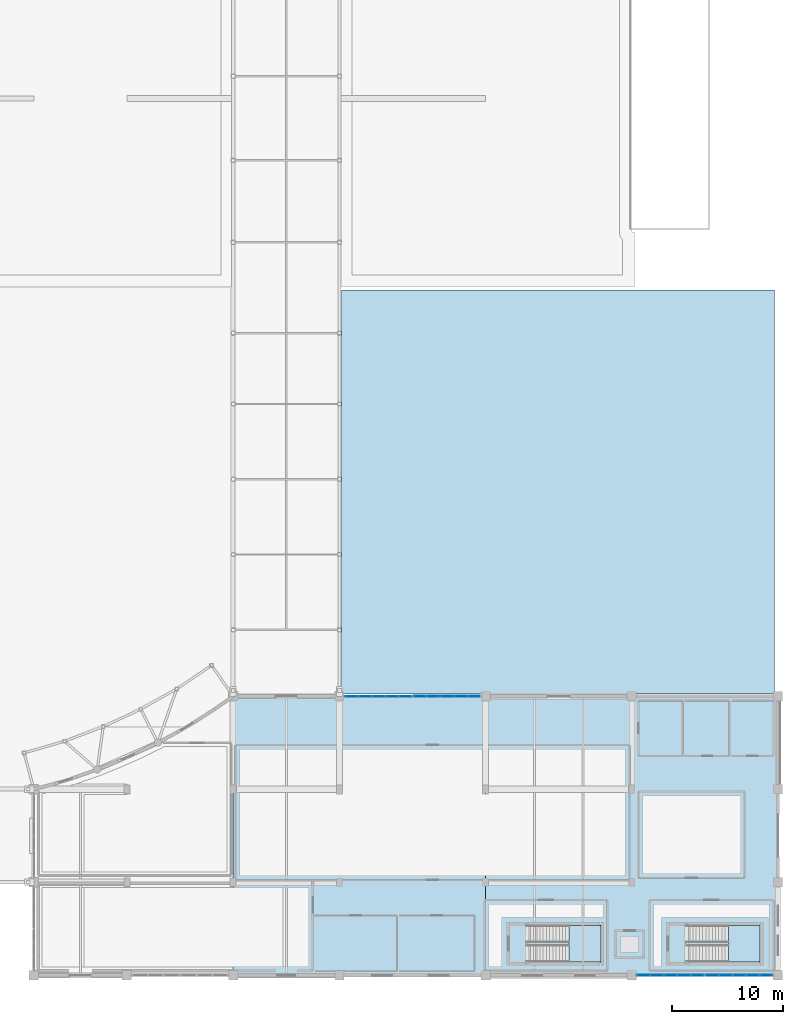
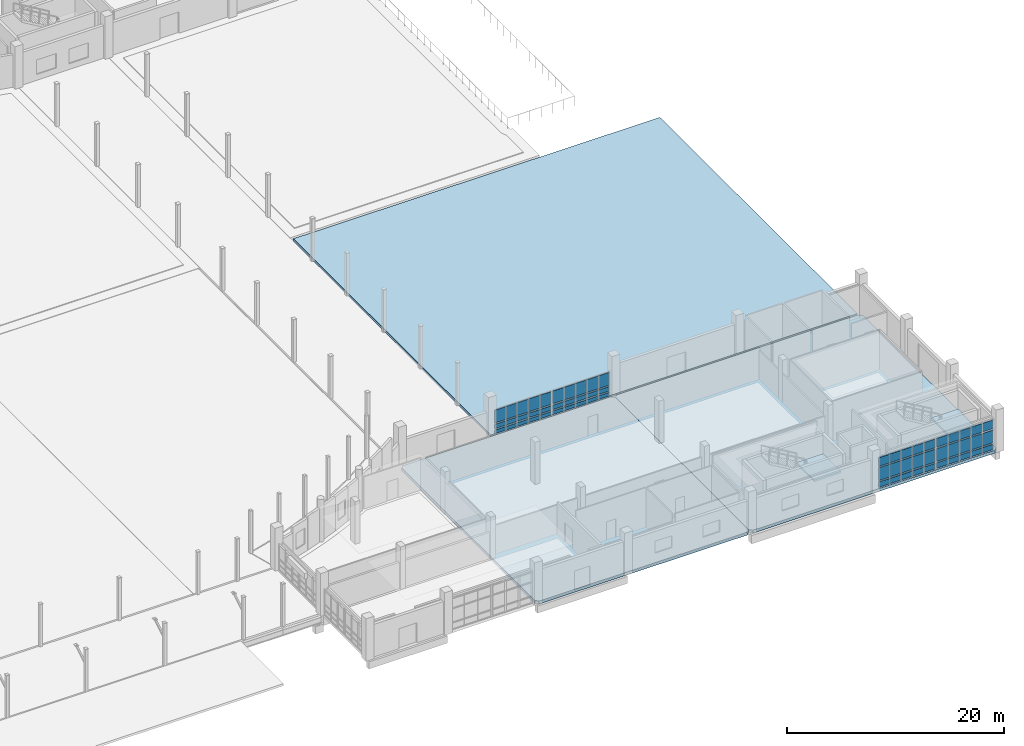
# One storey, part 53 of 97: 60 plates, 5 slabs, 6 elements without a shape of their own.
"""IFC4 building model written with IfcOpenShell, lengths in metres."""

from ifc_helpers import new_model, si_unit, direction, frame, origin, origin_2d, place, context, subcontext, project, spatial, polyline, rectangle, outline, extrude, material, layer, layer_set, type_object, element, aggregate, save


model = new_model("IFC4")

# Units and contexts
model_context = context("Model", 3, precision=1e-05, world=origin(), true_north=direction((0.0, 1.0)))
body_context = subcontext(model_context, "Body", "Model", "MODEL_VIEW")
ifc_project = project(units=[si_unit("LENGTHUNIT", "METRE"), si_unit("AREAUNIT", "SQUARE_METRE"), si_unit("VOLUMEUNIT", "CUBIC_METRE"), si_unit("PLANEANGLEUNIT", "RADIAN"), si_unit("MASSUNIT", "GRAM", prefix="KILO")], contexts=[model_context])

# Site, building, storey
site_placement = place(None, origin())
site = spatial("IfcSite", under=ifc_project, at=site_placement, CompositionType="ELEMENT")
building_placement = place(site_placement, origin())
building = spatial("IfcBuilding", under=site, at=building_placement, Name="Kisaragi Civic Commons", CompositionType="ELEMENT")
storey_placement = place(building_placement, origin())
storey = spatial("IfcBuildingStorey", under=building, at=storey_placement, Name="L00", CompositionType="ELEMENT", Elevation=0.0)

# Curtain wall, plates
ifc_material_1 = material(Name="Thermally broken anodized aluminium and low-E double glazing", Category="aluminium")
ifc_layer_1 = layer(ifc_material_1, 0.2099609375, Name="Thermally broken anodized aluminium and low-E double glazing", Category="aluminium")
ifc_layer_set_1 = layer_set([ifc_layer_1], Name="Thermally broken anodized aluminium and low-E double glazing")
curtain_wall_type = type_object("IfcCurtainWallType", Name="CW-02", PredefinedType="NOTDEFINED", material=ifc_layer_set_1)
curtain_wall_1_placement = place(storey_placement, origin())
curtain_wall_1 = element("IfcCurtainWall", 1, at=curtain_wall_1_placement, inside=storey, type_object=curtain_wall_type, Name="L00 curtain wall CW-02 CW-V3-L00-009", PredefinedType="NOTDEFINED")
ifc_layer_2 = layer(ifc_material_1, 0.0458984375, Name="Thermally broken anodized aluminium and low-E double glazing", Category="aluminium")
ifc_layer_set_2 = layer_set([ifc_layer_2], Name="Thermally broken anodized aluminium and low-E double glazing")
plate_type_1 = type_object("IfcPlateType", Name="CWP-13", PredefinedType="CURTAIN_PANEL", material=ifc_layer_set_2)
plate_1_placement = place(storey_placement, frame((134.26953125, 25.199951171875, 0.16015625), z_axis=(0.0, 0.0, 1.0), x_axis=(1.0, 0.0, 0.0)))
plate_1 = element("IfcPlate", 2, at=plate_1_placement, type_object=plate_type_1, Name="CW-02 panel 1.1", PredefinedType="CURTAIN_PANEL", context=body_context, shape_type="SweptSolid", body=[
    extrude(rectangle(XDim=1.118896484375, YDim=0.0458984375, at=origin_2d()), origin(), (0.0, 0.0, 1.0), 0.409912109375),
])
plate_2_placement = place(storey_placement, frame((134.26953125, 25.199951171875, 0.72998046875), z_axis=(0.0, 0.0, 1.0), x_axis=(1.0, 0.0, 0.0)))
plate_2 = element("IfcPlate", 3, at=plate_2_placement, type_object=plate_type_1, Name="CW-02 panel 1.2", PredefinedType="CURTAIN_PANEL", context=body_context, shape_type="SweptSolid", body=[
    extrude(rectangle(XDim=1.118896484375, YDim=0.0458984375, at=origin_2d()), origin(), (0.0, 0.0, 1.0), 0.489990234375),
])
plate_3_placement = place(storey_placement, frame((134.26953125, 25.199951171875, 1.380126953125), z_axis=(0.0, 0.0, 1.0), x_axis=(1.0, 0.0, 0.0)))
plate_3 = element("IfcPlate", 4, at=plate_3_placement, type_object=plate_type_1, Name="CW-02 panel 1.3", PredefinedType="CURTAIN_PANEL", context=body_context, shape_type="SweptSolid", body=[
    extrude(rectangle(XDim=1.118896484375, YDim=0.0458984375, at=origin_2d()), origin(), (0.0, 0.0, 1.0), 1.43994140625),
])
plate_4_placement = place(storey_placement, frame((135.47607421875, 25.199951171875, 0.16015625), z_axis=(0.0, 0.0, 1.0), x_axis=(1.0, 0.0, 0.0)))
plate_4 = element("IfcPlate", 5, at=plate_4_placement, type_object=plate_type_1, Name="CW-02 panel 2.1", PredefinedType="CURTAIN_PANEL", context=body_context, shape_type="SweptSolid", body=[
    extrude(rectangle(XDim=1.154052734375, YDim=0.0458984375, at=origin_2d()), origin(), (0.0, 0.0, 1.0), 0.409912109375),
])
plate_5_placement = place(storey_placement, frame((135.47607421875, 25.199951171875, 0.72998046875), z_axis=(0.0, 0.0, 1.0), x_axis=(1.0, 0.0, 0.0)))
plate_5 = element("IfcPlate", 6, at=plate_5_placement, type_object=plate_type_1, Name="CW-02 panel 2.2", PredefinedType="CURTAIN_PANEL", context=body_context, shape_type="SweptSolid", body=[
    extrude(rectangle(XDim=1.154052734375, YDim=0.0458984375, at=origin_2d()), origin(), (0.0, 0.0, 1.0), 0.489990234375),
])
plate_6_placement = place(storey_placement, frame((135.47607421875, 25.199951171875, 1.380126953125), z_axis=(0.0, 0.0, 1.0), x_axis=(1.0, 0.0, 0.0)))
plate_6 = element("IfcPlate", 7, at=plate_6_placement, type_object=plate_type_1, Name="CW-02 panel 2.3", PredefinedType="CURTAIN_PANEL", context=body_context, shape_type="SweptSolid", body=[
    extrude(rectangle(XDim=1.154052734375, YDim=0.0458984375, at=origin_2d()), origin(), (0.0, 0.0, 1.0), 1.43994140625),
])
plate_7_placement = place(storey_placement, frame((136.699951171875, 25.199951171875, 0.16015625), z_axis=(0.0, 0.0, 1.0), x_axis=(1.0, 0.0, 0.0)))
plate_7 = element("IfcPlate", 8, at=plate_7_placement, type_object=plate_type_1, Name="CW-02 panel 3.1", PredefinedType="CURTAIN_PANEL", context=body_context, shape_type="SweptSolid", body=[
    extrude(rectangle(XDim=1.154052734375, YDim=0.0458984375, at=origin_2d()), origin(), (0.0, 0.0, 1.0), 0.409912109375),
])
plate_8_placement = place(storey_placement, frame((136.699951171875, 25.199951171875, 0.72998046875), z_axis=(0.0, 0.0, 1.0), x_axis=(1.0, 0.0, 0.0)))
plate_8 = element("IfcPlate", 9, at=plate_8_placement, type_object=plate_type_1, Name="CW-02 panel 3.2", PredefinedType="CURTAIN_PANEL", context=body_context, shape_type="SweptSolid", body=[
    extrude(rectangle(XDim=1.154052734375, YDim=0.0458984375, at=origin_2d()), origin(), (0.0, 0.0, 1.0), 0.489990234375),
])
plate_9_placement = place(storey_placement, frame((136.699951171875, 25.199951171875, 1.380126953125), z_axis=(0.0, 0.0, 1.0), x_axis=(1.0, 0.0, 0.0)))
plate_9 = element("IfcPlate", 10, at=plate_9_placement, type_object=plate_type_1, Name="CW-02 panel 3.3", PredefinedType="CURTAIN_PANEL", context=body_context, shape_type="SweptSolid", body=[
    extrude(rectangle(XDim=1.154052734375, YDim=0.0458984375, at=origin_2d()), origin(), (0.0, 0.0, 1.0), 1.43994140625),
])
plate_10_placement = place(storey_placement, frame((137.924072265625, 25.199951171875, 0.16015625), z_axis=(0.0, 0.0, 1.0), x_axis=(1.0, 0.0, 0.0)))
plate_10 = element("IfcPlate", 11, at=plate_10_placement, type_object=plate_type_1, Name="CW-02 panel 4.1", PredefinedType="CURTAIN_PANEL", context=body_context, shape_type="SweptSolid", body=[
    extrude(rectangle(XDim=1.154052734375, YDim=0.0458984375, at=origin_2d()), origin(), (0.0, 0.0, 1.0), 0.409912109375),
])
plate_11_placement = place(storey_placement, frame((137.924072265625, 25.199951171875, 0.72998046875), z_axis=(0.0, 0.0, 1.0), x_axis=(1.0, 0.0, 0.0)))
plate_11 = element("IfcPlate", 12, at=plate_11_placement, type_object=plate_type_1, Name="CW-02 panel 4.2", PredefinedType="CURTAIN_PANEL", context=body_context, shape_type="SweptSolid", body=[
    extrude(rectangle(XDim=1.154052734375, YDim=0.0458984375, at=origin_2d()), origin(), (0.0, 0.0, 1.0), 0.489990234375),
])
plate_12_placement = place(storey_placement, frame((137.924072265625, 25.199951171875, 1.380126953125), z_axis=(0.0, 0.0, 1.0), x_axis=(1.0, 0.0, 0.0)))
plate_12 = element("IfcPlate", 13, at=plate_12_placement, type_object=plate_type_1, Name="CW-02 panel 4.3", PredefinedType="CURTAIN_PANEL", context=body_context, shape_type="SweptSolid", body=[
    extrude(rectangle(XDim=1.154052734375, YDim=0.0458984375, at=origin_2d()), origin(), (0.0, 0.0, 1.0), 1.43994140625),
])
plate_13_placement = place(storey_placement, frame((139.130615234375, 25.199951171875, 0.16015625), z_axis=(0.0, 0.0, 1.0), x_axis=(1.0, 0.0, 0.0)))
plate_13 = element("IfcPlate", 14, at=plate_13_placement, type_object=plate_type_1, Name="CW-02 panel 5.1", PredefinedType="CURTAIN_PANEL", context=body_context, shape_type="SweptSolid", body=[
    extrude(rectangle(XDim=1.118896484375, YDim=0.0458984375, at=origin_2d()), origin(), (0.0, 0.0, 1.0), 0.409912109375),
])
plate_14_placement = place(storey_placement, frame((139.130615234375, 25.199951171875, 0.72998046875), z_axis=(0.0, 0.0, 1.0), x_axis=(1.0, 0.0, 0.0)))
plate_14 = element("IfcPlate", 15, at=plate_14_placement, type_object=plate_type_1, Name="CW-02 panel 5.2", PredefinedType="CURTAIN_PANEL", context=body_context, shape_type="SweptSolid", body=[
    extrude(rectangle(XDim=1.118896484375, YDim=0.0458984375, at=origin_2d()), origin(), (0.0, 0.0, 1.0), 0.489990234375),
])
plate_15_placement = place(storey_placement, frame((139.130615234375, 25.199951171875, 1.380126953125), z_axis=(0.0, 0.0, 1.0), x_axis=(1.0, 0.0, 0.0)))
plate_15 = element("IfcPlate", 16, at=plate_15_placement, type_object=plate_type_1, Name="CW-02 panel 5.3", PredefinedType="CURTAIN_PANEL", context=body_context, shape_type="SweptSolid", body=[
    extrude(rectangle(XDim=1.118896484375, YDim=0.0458984375, at=origin_2d()), origin(), (0.0, 0.0, 1.0), 1.43994140625),
])
aggregate(curtain_wall_1, [plate_1, plate_2, plate_3, plate_4, plate_5, plate_6, plate_7, plate_8, plate_9, plate_10, plate_11, plate_12, plate_13, plate_14, plate_15])

curtain_wall_2_placement = place(storey_placement, origin())
curtain_wall_2 = element("IfcCurtainWall", 17, at=curtain_wall_2_placement, inside=storey, type_object=curtain_wall_type, Name="L00 curtain wall CW-02 CW-V3-L00-010", PredefinedType="NOTDEFINED")
ifc_layer_3 = layer(ifc_material_1, 0.050048828125, Name="Thermally broken anodized aluminium and low-E double glazing", Category="aluminium")
ifc_layer_set_3 = layer_set([ifc_layer_3], Name="Thermally broken anodized aluminium and low-E double glazing")
plate_type_2 = type_object("IfcPlateType", Name="CWP-14", PredefinedType="CURTAIN_PANEL", material=ifc_layer_set_3)
plate_16_placement = place(storey_placement, frame((140.469482421875, 25.199951171875, 0.16015625), z_axis=(0.0, 0.0, 1.0), x_axis=(1.0, 0.0, 0.0)))
plate_16 = element("IfcPlate", 18, at=plate_16_placement, type_object=plate_type_2, Name="CW-02 panel 1.1", PredefinedType="CURTAIN_PANEL", context=body_context, shape_type="SweptSolid", body=[
    extrude(rectangle(XDim=1.118896484375, YDim=0.050048828125, at=origin_2d()), origin(), (0.0, 0.0, 1.0), 0.409912109375),
])
plate_17_placement = place(storey_placement, frame((140.469482421875, 25.199951171875, 0.72998046875), z_axis=(0.0, 0.0, 1.0), x_axis=(1.0, 0.0, 0.0)))
plate_17 = element("IfcPlate", 19, at=plate_17_placement, type_object=plate_type_2, Name="CW-02 panel 1.2", PredefinedType="CURTAIN_PANEL", context=body_context, shape_type="SweptSolid", body=[
    extrude(rectangle(XDim=1.118896484375, YDim=0.050048828125, at=origin_2d()), origin(), (0.0, 0.0, 1.0), 0.489990234375),
])
plate_18_placement = place(storey_placement, frame((140.469482421875, 25.199951171875, 1.380126953125), z_axis=(0.0, 0.0, 1.0), x_axis=(1.0, 0.0, 0.0)))
plate_18 = element("IfcPlate", 20, at=plate_18_placement, type_object=plate_type_2, Name="CW-02 panel 1.3", PredefinedType="CURTAIN_PANEL", context=body_context, shape_type="SweptSolid", body=[
    extrude(rectangle(XDim=1.118896484375, YDim=0.050048828125, at=origin_2d()), origin(), (0.0, 0.0, 1.0), 1.43994140625),
])
plate_19_placement = place(storey_placement, frame((141.676025390625, 25.199951171875, 0.16015625), z_axis=(0.0, 0.0, 1.0), x_axis=(1.0, 0.0, 0.0)))
plate_19 = element("IfcPlate", 21, at=plate_19_placement, type_object=plate_type_2, Name="CW-02 panel 2.1", PredefinedType="CURTAIN_PANEL", context=body_context, shape_type="SweptSolid", body=[
    extrude(rectangle(XDim=1.154052734375, YDim=0.050048828125, at=origin_2d()), origin(), (0.0, 0.0, 1.0), 0.409912109375),
])
plate_20_placement = place(storey_placement, frame((141.676025390625, 25.199951171875, 0.72998046875), z_axis=(0.0, 0.0, 1.0), x_axis=(1.0, 0.0, 0.0)))
plate_20 = element("IfcPlate", 22, at=plate_20_placement, type_object=plate_type_2, Name="CW-02 panel 2.2", PredefinedType="CURTAIN_PANEL", context=body_context, shape_type="SweptSolid", body=[
    extrude(rectangle(XDim=1.154052734375, YDim=0.050048828125, at=origin_2d()), origin(), (0.0, 0.0, 1.0), 0.489990234375),
])
plate_21_placement = place(storey_placement, frame((141.676025390625, 25.199951171875, 1.380126953125), z_axis=(0.0, 0.0, 1.0), x_axis=(1.0, 0.0, 0.0)))
plate_21 = element("IfcPlate", 23, at=plate_21_placement, type_object=plate_type_2, Name="CW-02 panel 2.3", PredefinedType="CURTAIN_PANEL", context=body_context, shape_type="SweptSolid", body=[
    extrude(rectangle(XDim=1.154052734375, YDim=0.050048828125, at=origin_2d()), origin(), (0.0, 0.0, 1.0), 1.43994140625),
])
plate_22_placement = place(storey_placement, frame((142.89990234375, 25.199951171875, 0.16015625), z_axis=(0.0, 0.0, 1.0), x_axis=(1.0, 0.0, 0.0)))
plate_22 = element("IfcPlate", 24, at=plate_22_placement, type_object=plate_type_2, Name="CW-02 panel 3.1", PredefinedType="CURTAIN_PANEL", context=body_context, shape_type="SweptSolid", body=[
    extrude(rectangle(XDim=1.154052734375, YDim=0.050048828125, at=origin_2d()), origin(), (0.0, 0.0, 1.0), 0.409912109375),
])
plate_23_placement = place(storey_placement, frame((142.89990234375, 25.199951171875, 0.72998046875), z_axis=(0.0, 0.0, 1.0), x_axis=(1.0, 0.0, 0.0)))
plate_23 = element("IfcPlate", 25, at=plate_23_placement, type_object=plate_type_2, Name="CW-02 panel 3.2", PredefinedType="CURTAIN_PANEL", context=body_context, shape_type="SweptSolid", body=[
    extrude(rectangle(XDim=1.154052734375, YDim=0.050048828125, at=origin_2d()), origin(), (0.0, 0.0, 1.0), 0.489990234375),
])
plate_24_placement = place(storey_placement, frame((142.89990234375, 25.199951171875, 1.380126953125), z_axis=(0.0, 0.0, 1.0), x_axis=(1.0, 0.0, 0.0)))
plate_24 = element("IfcPlate", 26, at=plate_24_placement, type_object=plate_type_2, Name="CW-02 panel 3.3", PredefinedType="CURTAIN_PANEL", context=body_context, shape_type="SweptSolid", body=[
    extrude(rectangle(XDim=1.154052734375, YDim=0.050048828125, at=origin_2d()), origin(), (0.0, 0.0, 1.0), 1.43994140625),
])
plate_25_placement = place(storey_placement, frame((144.1240234375, 25.199951171875, 0.16015625), z_axis=(0.0, 0.0, 1.0), x_axis=(1.0, 0.0, 0.0)))
plate_25 = element("IfcPlate", 27, at=plate_25_placement, type_object=plate_type_2, Name="CW-02 panel 4.1", PredefinedType="CURTAIN_PANEL", context=body_context, shape_type="SweptSolid", body=[
    extrude(rectangle(XDim=1.154052734375, YDim=0.050048828125, at=origin_2d()), origin(), (0.0, 0.0, 1.0), 0.409912109375),
])
plate_26_placement = place(storey_placement, frame((144.1240234375, 25.199951171875, 0.72998046875), z_axis=(0.0, 0.0, 1.0), x_axis=(1.0, 0.0, 0.0)))
plate_26 = element("IfcPlate", 28, at=plate_26_placement, type_object=plate_type_2, Name="CW-02 panel 4.2", PredefinedType="CURTAIN_PANEL", context=body_context, shape_type="SweptSolid", body=[
    extrude(rectangle(XDim=1.154052734375, YDim=0.050048828125, at=origin_2d()), origin(), (0.0, 0.0, 1.0), 0.489990234375),
])
plate_27_placement = place(storey_placement, frame((144.1240234375, 25.199951171875, 1.380126953125), z_axis=(0.0, 0.0, 1.0), x_axis=(1.0, 0.0, 0.0)))
plate_27 = element("IfcPlate", 29, at=plate_27_placement, type_object=plate_type_2, Name="CW-02 panel 4.3", PredefinedType="CURTAIN_PANEL", context=body_context, shape_type="SweptSolid", body=[
    extrude(rectangle(XDim=1.154052734375, YDim=0.050048828125, at=origin_2d()), origin(), (0.0, 0.0, 1.0), 1.43994140625),
])
plate_28_placement = place(storey_placement, frame((145.33056640625, 25.199951171875, 0.16015625), z_axis=(0.0, 0.0, 1.0), x_axis=(1.0, 0.0, 0.0)))
plate_28 = element("IfcPlate", 30, at=plate_28_placement, type_object=plate_type_2, Name="CW-02 panel 5.1", PredefinedType="CURTAIN_PANEL", context=body_context, shape_type="SweptSolid", body=[
    extrude(rectangle(XDim=1.118896484375, YDim=0.050048828125, at=origin_2d()), origin(), (0.0, 0.0, 1.0), 0.409912109375),
])
plate_29_placement = place(storey_placement, frame((145.33056640625, 25.199951171875, 0.72998046875), z_axis=(0.0, 0.0, 1.0), x_axis=(1.0, 0.0, 0.0)))
plate_29 = element("IfcPlate", 31, at=plate_29_placement, type_object=plate_type_2, Name="CW-02 panel 5.2", PredefinedType="CURTAIN_PANEL", context=body_context, shape_type="SweptSolid", body=[
    extrude(rectangle(XDim=1.118896484375, YDim=0.050048828125, at=origin_2d()), origin(), (0.0, 0.0, 1.0), 0.489990234375),
])
plate_30_placement = place(storey_placement, frame((145.33056640625, 25.199951171875, 1.380126953125), z_axis=(0.0, 0.0, 1.0), x_axis=(1.0, 0.0, 0.0)))
plate_30 = element("IfcPlate", 32, at=plate_30_placement, type_object=plate_type_2, Name="CW-02 panel 5.3", PredefinedType="CURTAIN_PANEL", context=body_context, shape_type="SweptSolid", body=[
    extrude(rectangle(XDim=1.118896484375, YDim=0.050048828125, at=origin_2d()), origin(), (0.0, 0.0, 1.0), 1.43994140625),
])
aggregate(curtain_wall_2, [plate_16, plate_17, plate_18, plate_19, plate_20, plate_21, plate_22, plate_23, plate_24, plate_25, plate_26, plate_27, plate_28, plate_29, plate_30])

curtain_wall_3_placement = place(storey_placement, origin())
curtain_wall_3 = element("IfcCurtainWall", 33, at=curtain_wall_3_placement, inside=storey, type_object=curtain_wall_type, Name="L00 curtain wall CW-02 CW-V3-L00-011", PredefinedType="NOTDEFINED")
ifc_layer_4 = layer(ifc_material_1, 0.053955078125, Name="Thermally broken anodized aluminium and low-E double glazing", Category="aluminium")
ifc_layer_set_4 = layer_set([ifc_layer_4], Name="Thermally broken anodized aluminium and low-E double glazing")
plate_type_3 = type_object("IfcPlateType", Name="CWP-15", PredefinedType="CURTAIN_PANEL", material=ifc_layer_set_4)
plate_31_placement = place(storey_placement, frame((171.73046875, 0.0, 0.16015625), z_axis=(0.0, 0.0, 1.0), x_axis=(-1.0, 0.0, 0.0)))
plate_31 = element("IfcPlate", 34, at=plate_31_placement, type_object=plate_type_3, Name="CW-02 panel 1.1", PredefinedType="CURTAIN_PANEL", context=body_context, shape_type="SweptSolid", body=[
    extrude(rectangle(XDim=1.118896484375, YDim=0.053955078125, at=origin_2d()), origin(), (0.0, 0.0, 1.0), 0.610107421875),
])
plate_32_placement = place(storey_placement, frame((171.73046875, 0.0, 0.929931640625), z_axis=(0.0, 0.0, 1.0), x_axis=(-1.0, 0.0, 0.0)))
plate_32 = element("IfcPlate", 35, at=plate_32_placement, type_object=plate_type_3, Name="CW-02 panel 1.2", PredefinedType="CURTAIN_PANEL", context=body_context, shape_type="SweptSolid", body=[
    extrude(rectangle(XDim=1.118896484375, YDim=0.053955078125, at=origin_2d()), origin(), (0.0, 0.0, 1.0), 1.43994140625),
])
plate_33_placement = place(storey_placement, frame((171.73046875, 0.0, 2.530029296875), z_axis=(0.0, 0.0, 1.0), x_axis=(-1.0, 0.0, 0.0)))
plate_33 = element("IfcPlate", 36, at=plate_33_placement, type_object=plate_type_3, Name="CW-02 panel 1.3", PredefinedType="CURTAIN_PANEL", context=body_context, shape_type="SweptSolid", body=[
    extrude(rectangle(XDim=1.118896484375, YDim=0.053955078125, at=origin_2d()), origin(), (0.0, 0.0, 1.0), 0.97998046875),
])
plate_34_placement = place(storey_placement, frame((170.52392578125, 0.0, 0.16015625), z_axis=(0.0, 0.0, 1.0), x_axis=(-1.0, 0.0, 0.0)))
plate_34 = element("IfcPlate", 37, at=plate_34_placement, type_object=plate_type_3, Name="CW-02 panel 2.1", PredefinedType="CURTAIN_PANEL", context=body_context, shape_type="SweptSolid", body=[
    extrude(rectangle(XDim=1.154052734375, YDim=0.053955078125, at=origin_2d()), origin(), (0.0, 0.0, 1.0), 0.610107421875),
])
plate_35_placement = place(storey_placement, frame((170.52392578125, 0.0, 0.929931640625), z_axis=(0.0, 0.0, 1.0), x_axis=(-1.0, 0.0, 0.0)))
plate_35 = element("IfcPlate", 38, at=plate_35_placement, type_object=plate_type_3, Name="CW-02 panel 2.2", PredefinedType="CURTAIN_PANEL", context=body_context, shape_type="SweptSolid", body=[
    extrude(rectangle(XDim=1.154052734375, YDim=0.053955078125, at=origin_2d()), origin(), (0.0, 0.0, 1.0), 1.43994140625),
])
plate_36_placement = place(storey_placement, frame((170.52392578125, 0.0, 2.530029296875), z_axis=(0.0, 0.0, 1.0), x_axis=(-1.0, 0.0, 0.0)))
plate_36 = element("IfcPlate", 39, at=plate_36_placement, type_object=plate_type_3, Name="CW-02 panel 2.3", PredefinedType="CURTAIN_PANEL", context=body_context, shape_type="SweptSolid", body=[
    extrude(rectangle(XDim=1.154052734375, YDim=0.053955078125, at=origin_2d()), origin(), (0.0, 0.0, 1.0), 0.97998046875),
])
plate_37_placement = place(storey_placement, frame((169.300048828125, 0.0, 0.16015625), z_axis=(0.0, 0.0, 1.0), x_axis=(-1.0, 0.0, 0.0)))
plate_37 = element("IfcPlate", 40, at=plate_37_placement, type_object=plate_type_3, Name="CW-02 panel 3.1", PredefinedType="CURTAIN_PANEL", context=body_context, shape_type="SweptSolid", body=[
    extrude(rectangle(XDim=1.154052734375, YDim=0.053955078125, at=origin_2d()), origin(), (0.0, 0.0, 1.0), 0.610107421875),
])
plate_38_placement = place(storey_placement, frame((169.300048828125, 0.0, 0.929931640625), z_axis=(0.0, 0.0, 1.0), x_axis=(-1.0, 0.0, 0.0)))
plate_38 = element("IfcPlate", 41, at=plate_38_placement, type_object=plate_type_3, Name="CW-02 panel 3.2", PredefinedType="CURTAIN_PANEL", context=body_context, shape_type="SweptSolid", body=[
    extrude(rectangle(XDim=1.154052734375, YDim=0.053955078125, at=origin_2d()), origin(), (0.0, 0.0, 1.0), 1.43994140625),
])
plate_39_placement = place(storey_placement, frame((169.300048828125, 0.0, 2.530029296875), z_axis=(0.0, 0.0, 1.0), x_axis=(-1.0, 0.0, 0.0)))
plate_39 = element("IfcPlate", 42, at=plate_39_placement, type_object=plate_type_3, Name="CW-02 panel 3.3", PredefinedType="CURTAIN_PANEL", context=body_context, shape_type="SweptSolid", body=[
    extrude(rectangle(XDim=1.154052734375, YDim=0.053955078125, at=origin_2d()), origin(), (0.0, 0.0, 1.0), 0.97998046875),
])
plate_40_placement = place(storey_placement, frame((168.075927734375, 0.0, 0.16015625), z_axis=(0.0, 0.0, 1.0), x_axis=(-1.0, 0.0, 0.0)))
plate_40 = element("IfcPlate", 43, at=plate_40_placement, type_object=plate_type_3, Name="CW-02 panel 4.1", PredefinedType="CURTAIN_PANEL", context=body_context, shape_type="SweptSolid", body=[
    extrude(rectangle(XDim=1.154052734375, YDim=0.053955078125, at=origin_2d()), origin(), (0.0, 0.0, 1.0), 0.610107421875),
])
plate_41_placement = place(storey_placement, frame((168.075927734375, 0.0, 0.929931640625), z_axis=(0.0, 0.0, 1.0), x_axis=(-1.0, 0.0, 0.0)))
plate_41 = element("IfcPlate", 44, at=plate_41_placement, type_object=plate_type_3, Name="CW-02 panel 4.2", PredefinedType="CURTAIN_PANEL", context=body_context, shape_type="SweptSolid", body=[
    extrude(rectangle(XDim=1.154052734375, YDim=0.053955078125, at=origin_2d()), origin(), (0.0, 0.0, 1.0), 1.43994140625),
])
plate_42_placement = place(storey_placement, frame((168.075927734375, 0.0, 2.530029296875), z_axis=(0.0, 0.0, 1.0), x_axis=(-1.0, 0.0, 0.0)))
plate_42 = element("IfcPlate", 45, at=plate_42_placement, type_object=plate_type_3, Name="CW-02 panel 4.3", PredefinedType="CURTAIN_PANEL", context=body_context, shape_type="SweptSolid", body=[
    extrude(rectangle(XDim=1.154052734375, YDim=0.053955078125, at=origin_2d()), origin(), (0.0, 0.0, 1.0), 0.97998046875),
])
plate_43_placement = place(storey_placement, frame((166.869384765625, 0.0, 0.16015625), z_axis=(0.0, 0.0, 1.0), x_axis=(-1.0, 0.0, 0.0)))
plate_43 = element("IfcPlate", 46, at=plate_43_placement, type_object=plate_type_3, Name="CW-02 panel 5.1", PredefinedType="CURTAIN_PANEL", context=body_context, shape_type="SweptSolid", body=[
    extrude(rectangle(XDim=1.118896484375, YDim=0.053955078125, at=origin_2d()), origin(), (0.0, 0.0, 1.0), 0.610107421875),
])
plate_44_placement = place(storey_placement, frame((166.869384765625, 0.0, 0.929931640625), z_axis=(0.0, 0.0, 1.0), x_axis=(-1.0, 0.0, 0.0)))
plate_44 = element("IfcPlate", 47, at=plate_44_placement, type_object=plate_type_3, Name="CW-02 panel 5.2", PredefinedType="CURTAIN_PANEL", context=body_context, shape_type="SweptSolid", body=[
    extrude(rectangle(XDim=1.118896484375, YDim=0.053955078125, at=origin_2d()), origin(), (0.0, 0.0, 1.0), 1.43994140625),
])
plate_45_placement = place(storey_placement, frame((166.869384765625, 0.0, 2.530029296875), z_axis=(0.0, 0.0, 1.0), x_axis=(-1.0, 0.0, 0.0)))
plate_45 = element("IfcPlate", 48, at=plate_45_placement, type_object=plate_type_3, Name="CW-02 panel 5.3", PredefinedType="CURTAIN_PANEL", context=body_context, shape_type="SweptSolid", body=[
    extrude(rectangle(XDim=1.118896484375, YDim=0.053955078125, at=origin_2d()), origin(), (0.0, 0.0, 1.0), 0.97998046875),
])
aggregate(curtain_wall_3, [plate_31, plate_32, plate_33, plate_34, plate_35, plate_36, plate_37, plate_38, plate_39, plate_40, plate_41, plate_42, plate_43, plate_44, plate_45])

curtain_wall_4_placement = place(storey_placement, origin())
curtain_wall_4 = element("IfcCurtainWall", 49, at=curtain_wall_4_placement, inside=storey, type_object=curtain_wall_type, Name="L00 curtain wall CW-02 CW-V3-L00-012", PredefinedType="NOTDEFINED")
ifc_layer_5 = layer(ifc_material_1, 0.06201171875, Name="Thermally broken anodized aluminium and low-E double glazing", Category="aluminium")
ifc_layer_set_5 = layer_set([ifc_layer_5], Name="Thermally broken anodized aluminium and low-E double glazing")
plate_type_4 = type_object("IfcPlateType", Name="CWP-16", PredefinedType="CURTAIN_PANEL", material=ifc_layer_set_5)
plate_46_placement = place(storey_placement, frame((165.530517578125, 0.0, 0.16015625), z_axis=(0.0, 0.0, 1.0), x_axis=(-1.0, 0.0, 0.0)))
plate_46 = element("IfcPlate", 50, at=plate_46_placement, type_object=plate_type_4, Name="CW-02 panel 1.1", PredefinedType="CURTAIN_PANEL", context=body_context, shape_type="SweptSolid", body=[
    extrude(rectangle(XDim=1.118896484375, YDim=0.06201171875, at=origin_2d()), origin(), (0.0, 0.0, 1.0), 0.610107421875),
])
plate_47_placement = place(storey_placement, frame((165.530517578125, 0.0, 0.929931640625), z_axis=(0.0, 0.0, 1.0), x_axis=(-1.0, 0.0, 0.0)))
plate_47 = element("IfcPlate", 51, at=plate_47_placement, type_object=plate_type_4, Name="CW-02 panel 1.2", PredefinedType="CURTAIN_PANEL", context=body_context, shape_type="SweptSolid", body=[
    extrude(rectangle(XDim=1.118896484375, YDim=0.06201171875, at=origin_2d()), origin(), (0.0, 0.0, 1.0), 1.43994140625),
])
plate_48_placement = place(storey_placement, frame((165.530517578125, 0.0, 2.530029296875), z_axis=(0.0, 0.0, 1.0), x_axis=(-1.0, 0.0, 0.0)))
plate_48 = element("IfcPlate", 52, at=plate_48_placement, type_object=plate_type_4, Name="CW-02 panel 1.3", PredefinedType="CURTAIN_PANEL", context=body_context, shape_type="SweptSolid", body=[
    extrude(rectangle(XDim=1.118896484375, YDim=0.06201171875, at=origin_2d()), origin(), (0.0, 0.0, 1.0), 0.97998046875),
])
plate_49_placement = place(storey_placement, frame((164.323974609375, 0.0, 0.16015625), z_axis=(0.0, 0.0, 1.0), x_axis=(-1.0, 0.0, 0.0)))
plate_49 = element("IfcPlate", 53, at=plate_49_placement, type_object=plate_type_4, Name="CW-02 panel 2.1", PredefinedType="CURTAIN_PANEL", context=body_context, shape_type="SweptSolid", body=[
    extrude(rectangle(XDim=1.154052734375, YDim=0.06201171875, at=origin_2d()), origin(), (0.0, 0.0, 1.0), 0.610107421875),
])
plate_50_placement = place(storey_placement, frame((164.323974609375, 0.0, 0.929931640625), z_axis=(0.0, 0.0, 1.0), x_axis=(-1.0, 0.0, 0.0)))
plate_50 = element("IfcPlate", 54, at=plate_50_placement, type_object=plate_type_4, Name="CW-02 panel 2.2", PredefinedType="CURTAIN_PANEL", context=body_context, shape_type="SweptSolid", body=[
    extrude(rectangle(XDim=1.154052734375, YDim=0.06201171875, at=origin_2d()), origin(), (0.0, 0.0, 1.0), 1.43994140625),
])
plate_51_placement = place(storey_placement, frame((164.323974609375, 0.0, 2.530029296875), z_axis=(0.0, 0.0, 1.0), x_axis=(-1.0, 0.0, 0.0)))
plate_51 = element("IfcPlate", 55, at=plate_51_placement, type_object=plate_type_4, Name="CW-02 panel 2.3", PredefinedType="CURTAIN_PANEL", context=body_context, shape_type="SweptSolid", body=[
    extrude(rectangle(XDim=1.154052734375, YDim=0.06201171875, at=origin_2d()), origin(), (0.0, 0.0, 1.0), 0.97998046875),
])
plate_52_placement = place(storey_placement, frame((163.10009765625, 0.0, 0.16015625), z_axis=(0.0, 0.0, 1.0), x_axis=(-1.0, 0.0, 0.0)))
plate_52 = element("IfcPlate", 56, at=plate_52_placement, type_object=plate_type_4, Name="CW-02 panel 3.1", PredefinedType="CURTAIN_PANEL", context=body_context, shape_type="SweptSolid", body=[
    extrude(rectangle(XDim=1.154052734375, YDim=0.06201171875, at=origin_2d()), origin(), (0.0, 0.0, 1.0), 0.610107421875),
])
plate_53_placement = place(storey_placement, frame((163.10009765625, 0.0, 0.929931640625), z_axis=(0.0, 0.0, 1.0), x_axis=(-1.0, 0.0, 0.0)))
plate_53 = element("IfcPlate", 57, at=plate_53_placement, type_object=plate_type_4, Name="CW-02 panel 3.2", PredefinedType="CURTAIN_PANEL", context=body_context, shape_type="SweptSolid", body=[
    extrude(rectangle(XDim=1.154052734375, YDim=0.06201171875, at=origin_2d()), origin(), (0.0, 0.0, 1.0), 1.43994140625),
])
plate_54_placement = place(storey_placement, frame((163.10009765625, 0.0, 2.530029296875), z_axis=(0.0, 0.0, 1.0), x_axis=(-1.0, 0.0, 0.0)))
plate_54 = element("IfcPlate", 58, at=plate_54_placement, type_object=plate_type_4, Name="CW-02 panel 3.3", PredefinedType="CURTAIN_PANEL", context=body_context, shape_type="SweptSolid", body=[
    extrude(rectangle(XDim=1.154052734375, YDim=0.06201171875, at=origin_2d()), origin(), (0.0, 0.0, 1.0), 0.97998046875),
])
plate_55_placement = place(storey_placement, frame((161.8759765625, 0.0, 0.16015625), z_axis=(0.0, 0.0, 1.0), x_axis=(-1.0, 0.0, 0.0)))
plate_55 = element("IfcPlate", 59, at=plate_55_placement, type_object=plate_type_4, Name="CW-02 panel 4.1", PredefinedType="CURTAIN_PANEL", context=body_context, shape_type="SweptSolid", body=[
    extrude(rectangle(XDim=1.154052734375, YDim=0.06201171875, at=origin_2d()), origin(), (0.0, 0.0, 1.0), 0.610107421875),
])
plate_56_placement = place(storey_placement, frame((161.8759765625, 0.0, 0.929931640625), z_axis=(0.0, 0.0, 1.0), x_axis=(-1.0, 0.0, 0.0)))
plate_56 = element("IfcPlate", 60, at=plate_56_placement, type_object=plate_type_4, Name="CW-02 panel 4.2", PredefinedType="CURTAIN_PANEL", context=body_context, shape_type="SweptSolid", body=[
    extrude(rectangle(XDim=1.154052734375, YDim=0.06201171875, at=origin_2d()), origin(), (0.0, 0.0, 1.0), 1.43994140625),
])
plate_57_placement = place(storey_placement, frame((161.8759765625, 0.0, 2.530029296875), z_axis=(0.0, 0.0, 1.0), x_axis=(-1.0, 0.0, 0.0)))
plate_57 = element("IfcPlate", 61, at=plate_57_placement, type_object=plate_type_4, Name="CW-02 panel 4.3", PredefinedType="CURTAIN_PANEL", context=body_context, shape_type="SweptSolid", body=[
    extrude(rectangle(XDim=1.154052734375, YDim=0.06201171875, at=origin_2d()), origin(), (0.0, 0.0, 1.0), 0.97998046875),
])
plate_58_placement = place(storey_placement, frame((160.66943359375, 0.0, 0.16015625), z_axis=(0.0, 0.0, 1.0), x_axis=(-1.0, 0.0, 0.0)))
plate_58 = element("IfcPlate", 62, at=plate_58_placement, type_object=plate_type_4, Name="CW-02 panel 5.1", PredefinedType="CURTAIN_PANEL", context=body_context, shape_type="SweptSolid", body=[
    extrude(rectangle(XDim=1.118896484375, YDim=0.06201171875, at=origin_2d()), origin(), (0.0, 0.0, 1.0), 0.610107421875),
])
plate_59_placement = place(storey_placement, frame((160.66943359375, 0.0, 0.929931640625), z_axis=(0.0, 0.0, 1.0), x_axis=(-1.0, 0.0, 0.0)))
plate_59 = element("IfcPlate", 63, at=plate_59_placement, type_object=plate_type_4, Name="CW-02 panel 5.2", PredefinedType="CURTAIN_PANEL", context=body_context, shape_type="SweptSolid", body=[
    extrude(rectangle(XDim=1.118896484375, YDim=0.06201171875, at=origin_2d()), origin(), (0.0, 0.0, 1.0), 1.43994140625),
])
plate_60_placement = place(storey_placement, frame((160.66943359375, 0.0, 2.530029296875), z_axis=(0.0, 0.0, 1.0), x_axis=(-1.0, 0.0, 0.0)))
plate_60 = element("IfcPlate", 64, at=plate_60_placement, type_object=plate_type_4, Name="CW-02 panel 5.3", PredefinedType="CURTAIN_PANEL", context=body_context, shape_type="SweptSolid", body=[
    extrude(rectangle(XDim=1.118896484375, YDim=0.06201171875, at=origin_2d()), origin(), (0.0, 0.0, 1.0), 0.97998046875),
])
aggregate(curtain_wall_4, [plate_46, plate_47, plate_48, plate_49, plate_50, plate_51, plate_52, plate_53, plate_54, plate_55, plate_56, plate_57, plate_58, plate_59, plate_60])

# Slabs
ifc_material_2 = material(Name="Concrete Fc30", Category="concrete")
ifc_layer_6 = layer(ifc_material_2, 0.324951171875, Name="Concrete Fc30", Category="concrete")
ifc_layer_set_6 = layer_set([ifc_layer_6], Name="Concrete Fc30")
slab_type_1 = type_object("IfcSlabType", Name="SL-G2", PredefinedType="BASESLAB", material=ifc_layer_set_6)
slab_1_placement = place(storey_placement, frame((0.0, 0.0, -0.324951171875)))
element("IfcSlab", 65, at=slab_1_placement, inside=storey, type_object=slab_type_1, Name="V3 L00 slab SL-G2 23", PredefinedType="BASESLAB", context=body_context, shape_type="SweptSolid", body=[
    extrude(outline(polyline([(123.89990234375, 0.0), (146.10009765625, 0.0), (146.39990234375, 0.300048828125), (146.39990234375, 24.89990234375), (146.10009765625, 25.199951171875), (123.89990234375, 25.199951171875), (123.60009765625, 24.89990234375), (123.60009765625, 0.300048828125), (123.89990234375, 0.0)])), origin(), (0.0, 0.0, 1.0), 0.324951171875),
])
slab_2_placement = place(storey_placement, frame((0.0, 0.0, -0.324951171875)))
element("IfcSlab", 66, at=slab_2_placement, inside=storey, type_object=slab_type_1, Name="V3 L00 slab SL-G2 24", PredefinedType="BASESLAB", context=body_context, shape_type="SweptSolid", body=[
    extrude(outline(polyline([(146.699951171875, 0.0), (172.5, 0.0), (172.800048828125, 0.300048828125), (172.800048828125, 24.89990234375), (172.5, 25.199951171875), (146.699951171875, 25.199951171875), (146.39990234375, 24.89990234375), (146.39990234375, 0.300048828125), (146.699951171875, 0.0)])), origin(), (0.0, 0.0, 1.0), 0.324951171875),
])
ifc_layer_7 = layer(ifc_material_2, 0.2451171875, Name="Concrete Fc30", Category="concrete")
ifc_layer_set_7 = layer_set([ifc_layer_7], Name="Concrete Fc30")
slab_type_2 = type_object("IfcSlabType", Name="SL-G3", PredefinedType="BASESLAB", material=ifc_layer_set_7)
slab_3_placement = place(storey_placement, frame((0.0, 0.0, -0.2451171875)))
element("IfcSlab", 67, at=slab_3_placement, inside=storey, type_object=slab_type_2, Name="Civic courtyard and forecourt stone promenade slab 9", PredefinedType="BASESLAB", context=body_context, shape_type="SweptSolid", body=[
    extrude(outline(polyline([(172.5, 25.39990234375), (172.5, 61.89990234375), (133.39990234375, 61.89990234375), (133.39990234375, 25.39990234375), (172.5, 25.39990234375)])), origin(), (0.0, 0.0, 1.0), 0.2451171875),
])

# Stair, slab
stair_type = type_object("IfcStairType", Name="ST-A", PredefinedType="HALF_TURN_STAIR", material=ifc_material_2)
stair_1_placement = place(storey_placement, origin())
stair_1 = element("IfcStair", 68, at=stair_1_placement, inside=storey, type_object=stair_type, Name="L00 Stair ST-D1", PredefinedType="HALF_TURN_STAIR")
ifc_layer_8 = layer(ifc_material_2, 0.199951171875, Name="Concrete Fc30", Category="concrete")
ifc_layer_set_8 = layer_set([ifc_layer_8], Name="Concrete Fc30")
slab_type_3 = type_object("IfcSlabType", Name="STL-01", PredefinedType="LANDING", material=ifc_layer_set_8)
slab_4_placement = place(storey_placement, frame((0.0, 0.0, 2.199951171875)))
slab_4 = element("IfcSlab", 69, at=slab_4_placement, type_object=slab_type_3, Name="ST-D1 landing 1", PredefinedType="LANDING", context=body_context, shape_type="SweptSolid", body=[
    extrude(outline(polyline([(153.919921875, 1.199951171875), (156.800048828125, 1.199951171875), (156.800048828125, 4.5), (153.919921875, 4.5), (153.919921875, 1.199951171875)])), origin(), (0.0, 0.0, 1.0), 0.199951171875),
])
aggregate(stair_1, [slab_4])

stair_2_placement = place(storey_placement, origin())
stair_2 = element("IfcStair", 70, at=stair_2_placement, inside=storey, type_object=stair_type, Name="L00 Stair ST-D2", PredefinedType="HALF_TURN_STAIR")
slab_5_placement = place(storey_placement, frame((0.0, 0.0, 2.199951171875)))
slab_5 = element("IfcSlab", 71, at=slab_5_placement, type_object=slab_type_3, Name="ST-D2 landing 1", PredefinedType="LANDING", context=body_context, shape_type="SweptSolid", body=[
    extrude(outline(polyline([(168.320068359375, 1.199951171875), (171.199951171875, 1.199951171875), (171.199951171875, 4.5), (168.320068359375, 4.5), (168.320068359375, 1.199951171875)])), origin(), (0.0, 0.0, 1.0), 0.199951171875),
])
aggregate(stair_2, [slab_5])

save(model, "model.ifc")
